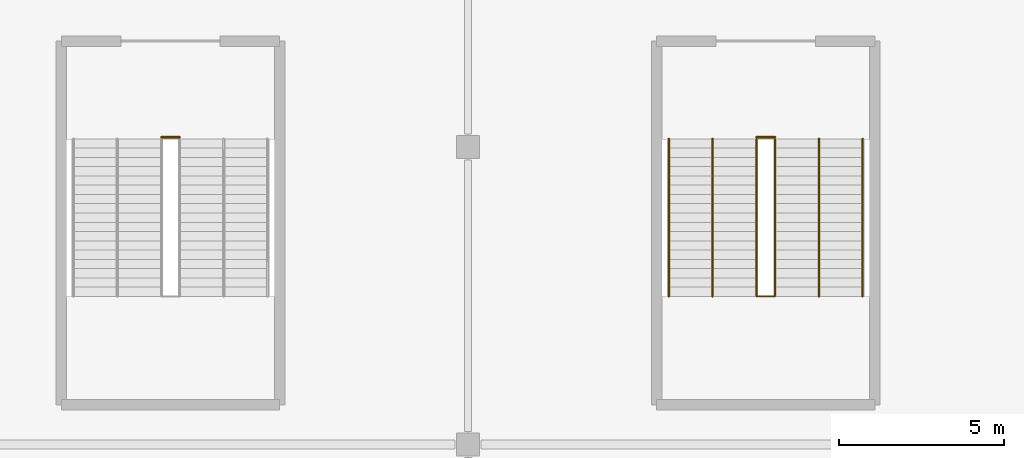
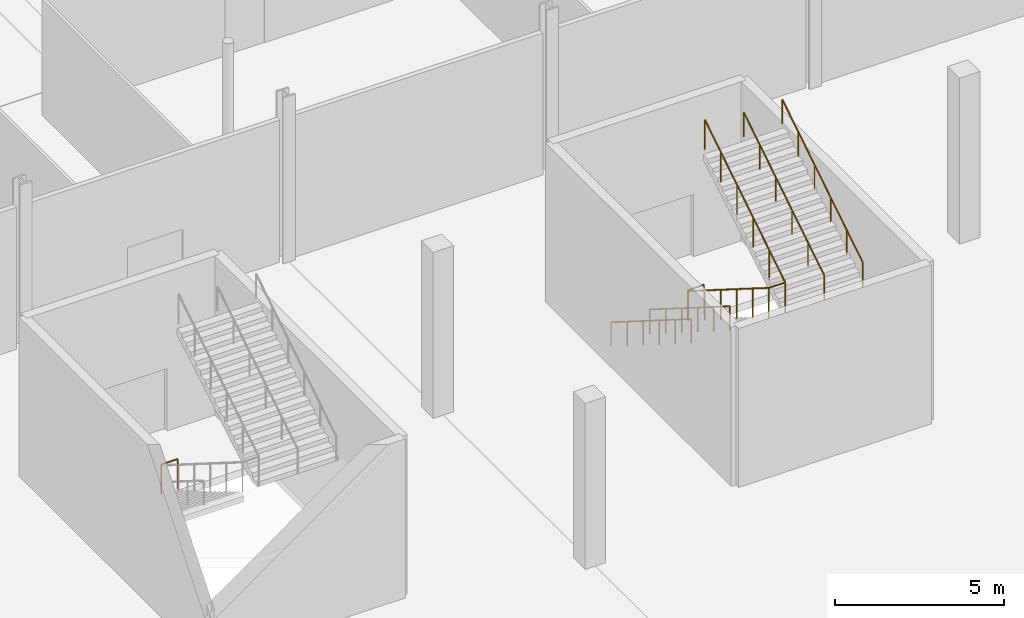
# One storey, part 71 of 84: 7 railings.
"""IFC4 building model written with IfcOpenShell, lengths in metres."""

from ifc_helpers import new_model, si_unit, direction, frame, origin, origin_2d, place, context, subcontext, project, spatial, circle, extrude, material, type_object, element, save


model = new_model("IFC4")

# Units and contexts
model_context = context("Model", 3, precision=1e-05, world=origin(), true_north=direction((0.0, 1.0)))
body_context = subcontext(model_context, "Body", "Model", "MODEL_VIEW")
ifc_project = project(units=[si_unit("LENGTHUNIT", "METRE"), si_unit("AREAUNIT", "SQUARE_METRE"), si_unit("VOLUMEUNIT", "CUBIC_METRE"), si_unit("PLANEANGLEUNIT", "RADIAN"), si_unit("MASSUNIT", "GRAM", prefix="KILO")], contexts=[model_context])

# Site, building, storey
site_placement = place(None, origin())
site = spatial("IfcSite", under=ifc_project, at=site_placement, CompositionType="ELEMENT")
building_placement = place(site_placement, origin())
building = spatial("IfcBuilding", under=site, at=building_placement, Name="Kisiwana Market Hall", CompositionType="ELEMENT")
storey_placement = place(building_placement, origin())
storey = spatial("IfcBuildingStorey", under=building, at=storey_placement, Name="L00", CompositionType="ELEMENT", Elevation=0.0)

# Railings
ifc_material_1 = material(Name="Steel S275", Category="steel")
railing_type_1 = type_object("IfcRailingType", Name="RL-GUARD-1100", PredefinedType="GUARDRAIL", material=ifc_material_1)
railing_1_placement = place(storey_placement, frame((89.719970703125, 27.2900390625, 0.0)))
element("IfcRailing", 1, at=railing_1_placement, inside=storey, type_object=railing_type_1, Name="Stair ST-S4-L00 landing edge guardrail (RL-280)", PredefinedType="GUARDRAIL", context=body_context, shape_type="SweptSolid", body=[
    extrude(circle(Radius=0.02392578125, at=origin_2d()), frame((0.0, 0.0, 1.076171875), z_axis=(1.0, 0.0, 0.0), x_axis=(0.0, 1.0, 0.0)), (0.0, 0.0, 1.0), 0.56005859375),
    extrude(circle(Radius=0.02099609375, at=origin_2d()), origin(), (0.0, 0.0, 1.0), 1.052001953125),
    extrude(circle(Radius=0.02099609375, at=origin_2d()), frame((0.56005859375, 0.0, 0.0)), (0.0, 0.0, 1.0), 1.052001953125),
])
railing_2_placement = place(storey_placement, frame((107.719970703125, 27.239990234375, 0.0)))
element("IfcRailing", 2, at=railing_2_placement, inside=storey, type_object=railing_type_1, Name="Stair ST-S5-L00 inner-well guardrail (RL-287)", PredefinedType="GUARDRAIL", context=body_context, shape_type="SweptSolid", body=[
    extrude(circle(Radius=0.02392578125, at=origin_2d()), frame((0.0, 0.0, 1.076171875), z_axis=(0.0, -0.845995810448, 0.533189542944), x_axis=(1.0, 0.0, 0.0)), (0.0, 0.0, 1.0), 5.62646484375),
    extrude(circle(Radius=0.02392578125, at=origin_2d()), frame((0.0, -4.760009765625, 4.076171875), z_axis=(1.0, 0.0, 0.0), x_axis=(0.0, 1.0, 0.0)), (0.0, 0.0, 1.0), 0.56005859375),
    extrude(circle(Radius=0.02392578125, at=origin_2d()), frame((0.56005859375, -4.760009765625, 4.076171875), z_axis=(0.0, 0.845995810448, 0.533189542944), x_axis=(-1.0, 0.0, 0.0)), (0.0, 0.0, 1.0), 5.62646484375),
    extrude(circle(Radius=0.02099609375, at=origin_2d()), origin(), (0.0, 0.0, 1.0), 1.052001953125),
    extrude(circle(Radius=0.02099609375, at=origin_2d()), frame((0.0, -0.951904296875, 0.60009765625)), (0.0, 0.0, 1.0), 1.052001953125),
    extrude(circle(Radius=0.02099609375, at=origin_2d()), frame((0.0, -1.904052734375, 1.199951171875)), (0.0, 0.0, 1.0), 1.052001953125),
    extrude(circle(Radius=0.02099609375, at=origin_2d()), frame((0.0, -2.85595703125, 1.800048828125)), (0.0, 0.0, 1.0), 1.052001953125),
    extrude(circle(Radius=0.02099609375, at=origin_2d()), frame((0.0, -3.80810546875, 2.39990234375)), (0.0, 0.0, 1.0), 1.052001953125),
    extrude(circle(Radius=0.02099609375, at=origin_2d()), frame((0.0, -4.760009765625, 3.0)), (0.0, 0.0, 1.0), 1.052001953125),
    extrude(circle(Radius=0.02099609375, at=origin_2d()), frame((0.56005859375, -4.760009765625, 3.0)), (0.0, 0.0, 1.0), 1.052001953125),
    extrude(circle(Radius=0.02099609375, at=origin_2d()), frame((0.56005859375, -3.80810546875, 3.60009765625)), (0.0, 0.0, 1.0), 1.052001953125),
    extrude(circle(Radius=0.02099609375, at=origin_2d()), frame((0.56005859375, -2.85595703125, 4.199951171875)), (0.0, 0.0, 1.0), 1.052001953125),
    extrude(circle(Radius=0.02099609375, at=origin_2d()), frame((0.56005859375, -1.904052734375, 4.800048828125)), (0.0, 0.0, 1.0), 1.052001953125),
    extrude(circle(Radius=0.02099609375, at=origin_2d()), frame((0.56005859375, -0.951904296875, 5.39990234375)), (0.0, 0.0, 1.0), 1.052001953125),
    extrude(circle(Radius=0.02099609375, at=origin_2d()), frame((0.56005859375, 0.0, 6.0)), (0.0, 0.0, 1.0), 1.052001953125),
])
railing_3_placement = place(storey_placement, frame((107.719970703125, 27.2900390625, 0.0)))
element("IfcRailing", 3, at=railing_3_placement, inside=storey, type_object=railing_type_1, Name="Stair ST-S5-L00 landing edge guardrail (RL-292)", PredefinedType="GUARDRAIL", context=body_context, shape_type="SweptSolid", body=[
    extrude(circle(Radius=0.02392578125, at=origin_2d()), frame((0.0, 0.0, 1.076171875), z_axis=(1.0, 0.0, 0.0), x_axis=(0.0, 1.0, 0.0)), (0.0, 0.0, 1.0), 0.56005859375),
    extrude(circle(Radius=0.02099609375, at=origin_2d()), origin(), (0.0, 0.0, 1.0), 1.052001953125),
    extrude(circle(Radius=0.02099609375, at=origin_2d()), frame((0.56005859375, 0.0, 0.0)), (0.0, 0.0, 1.0), 1.052001953125),
])
ifc_material_2 = material(Name="Steel S275", Category="steel")
railing_type_2 = type_object("IfcRailingType", Name="RL-HAND-900", PredefinedType="HANDRAIL", material=ifc_material_2)
railing_4_placement = place(storey_placement, frame((105.070068359375, 27.239990234375, 0.0)))
element("IfcRailing", 4, at=railing_4_placement, inside=storey, type_object=railing_type_2, Name="Stair ST-S5-L00 flight 1 handrail (RL-288)", PredefinedType="HANDRAIL", context=body_context, shape_type="SweptSolid", body=[
    extrude(circle(Radius=0.02392578125, at=origin_2d()), frame((0.0, 0.0, 0.8759765625), z_axis=(0.0, -0.845995810448, 0.533189542944), x_axis=(1.0, 0.0, 0.0)), (0.0, 0.0, 1.0), 5.62646484375),
    extrude(circle(Radius=0.02099609375, at=origin_2d()), origin(), (0.0, 0.0, 1.0), 0.851806640625),
    extrude(circle(Radius=0.02099609375, at=origin_2d()), frame((0.0, -0.951904296875, 0.60009765625)), (0.0, 0.0, 1.0), 0.851806640625),
    extrude(circle(Radius=0.02099609375, at=origin_2d()), frame((0.0, -1.904052734375, 1.199951171875)), (0.0, 0.0, 1.0), 0.851806640625),
    extrude(circle(Radius=0.02099609375, at=origin_2d()), frame((0.0, -2.85595703125, 1.800048828125)), (0.0, 0.0, 1.0), 0.851806640625),
    extrude(circle(Radius=0.02099609375, at=origin_2d()), frame((0.0, -3.80810546875, 2.39990234375)), (0.0, 0.0, 1.0), 0.851806640625),
    extrude(circle(Radius=0.02099609375, at=origin_2d()), frame((0.0, -4.760009765625, 3.0)), (0.0, 0.0, 1.0), 0.851806640625),
])
railing_5_placement = place(storey_placement, frame((110.929931640625, 22.47998046875, 3.0)))
element("IfcRailing", 5, at=railing_5_placement, inside=storey, type_object=railing_type_2, Name="Stair ST-S5-L00 flight 2 handrail (RL-289)", PredefinedType="HANDRAIL", context=body_context, shape_type="SweptSolid", body=[
    extrude(circle(Radius=0.02392578125, at=origin_2d()), frame((0.0, 0.0, 0.8759765625), z_axis=(0.0, 0.845995810448, 0.533189542944), x_axis=(-1.0, 0.0, 0.0)), (0.0, 0.0, 1.0), 5.62646484375),
    extrude(circle(Radius=0.02099609375, at=origin_2d()), origin(), (0.0, 0.0, 1.0), 0.851806640625),
    extrude(circle(Radius=0.02099609375, at=origin_2d()), frame((0.0, 0.951904296875, 0.60009765625)), (0.0, 0.0, 1.0), 0.851806640625),
    extrude(circle(Radius=0.02099609375, at=origin_2d()), frame((0.0, 1.904052734375, 1.199951171875)), (0.0, 0.0, 1.0), 0.851806640625),
    extrude(circle(Radius=0.02099609375, at=origin_2d()), frame((0.0, 2.85595703125, 1.800048828125)), (0.0, 0.0, 1.0), 0.851806640625),
    extrude(circle(Radius=0.02099609375, at=origin_2d()), frame((0.0, 3.80810546875, 2.39990234375)), (0.0, 0.0, 1.0), 0.851806640625),
    extrude(circle(Radius=0.02099609375, at=origin_2d()), frame((0.0, 4.760009765625, 3.0)), (0.0, 0.0, 1.0), 0.851806640625),
])
railing_6_placement = place(storey_placement, frame((106.389892578125, 27.239990234375, 0.0)))
element("IfcRailing", 6, at=railing_6_placement, inside=storey, type_object=railing_type_2, Name="Stair ST-S5-L00 flight 1 intermediate handrail (RL-290)", PredefinedType="HANDRAIL", context=body_context, shape_type="SweptSolid", body=[
    extrude(circle(Radius=0.02392578125, at=origin_2d()), frame((0.0, 0.0, 0.8759765625), z_axis=(0.0, -0.845995810448, 0.533189542944), x_axis=(1.0, 0.0, 0.0)), (0.0, 0.0, 1.0), 5.62646484375),
    extrude(circle(Radius=0.02099609375, at=origin_2d()), origin(), (0.0, 0.0, 1.0), 0.851806640625),
    extrude(circle(Radius=0.02099609375, at=origin_2d()), frame((0.0, -0.951904296875, 0.60009765625)), (0.0, 0.0, 1.0), 0.851806640625),
    extrude(circle(Radius=0.02099609375, at=origin_2d()), frame((0.0, -1.904052734375, 1.199951171875)), (0.0, 0.0, 1.0), 0.851806640625),
    extrude(circle(Radius=0.02099609375, at=origin_2d()), frame((0.0, -2.85595703125, 1.800048828125)), (0.0, 0.0, 1.0), 0.851806640625),
    extrude(circle(Radius=0.02099609375, at=origin_2d()), frame((0.0, -3.80810546875, 2.39990234375)), (0.0, 0.0, 1.0), 0.851806640625),
    extrude(circle(Radius=0.02099609375, at=origin_2d()), frame((0.0, -4.760009765625, 3.0)), (0.0, 0.0, 1.0), 0.851806640625),
])
railing_7_placement = place(storey_placement, frame((109.610107421875, 22.47998046875, 3.0)))
element("IfcRailing", 7, at=railing_7_placement, inside=storey, type_object=railing_type_2, Name="Stair ST-S5-L00 flight 2 intermediate handrail (RL-291)", PredefinedType="HANDRAIL", context=body_context, shape_type="SweptSolid", body=[
    extrude(circle(Radius=0.02392578125, at=origin_2d()), frame((0.0, 0.0, 0.8759765625), z_axis=(0.0, 0.845995810448, 0.533189542944), x_axis=(-1.0, 0.0, 0.0)), (0.0, 0.0, 1.0), 5.62646484375),
    extrude(circle(Radius=0.02099609375, at=origin_2d()), origin(), (0.0, 0.0, 1.0), 0.851806640625),
    extrude(circle(Radius=0.02099609375, at=origin_2d()), frame((0.0, 0.951904296875, 0.60009765625)), (0.0, 0.0, 1.0), 0.851806640625),
    extrude(circle(Radius=0.02099609375, at=origin_2d()), frame((0.0, 1.904052734375, 1.199951171875)), (0.0, 0.0, 1.0), 0.851806640625),
    extrude(circle(Radius=0.02099609375, at=origin_2d()), frame((0.0, 2.85595703125, 1.800048828125)), (0.0, 0.0, 1.0), 0.851806640625),
    extrude(circle(Radius=0.02099609375, at=origin_2d()), frame((0.0, 3.80810546875, 2.39990234375)), (0.0, 0.0, 1.0), 0.851806640625),
    extrude(circle(Radius=0.02099609375, at=origin_2d()), frame((0.0, 4.760009765625, 3.0)), (0.0, 0.0, 1.0), 0.851806640625),
])

save(model, "model.ifc")
